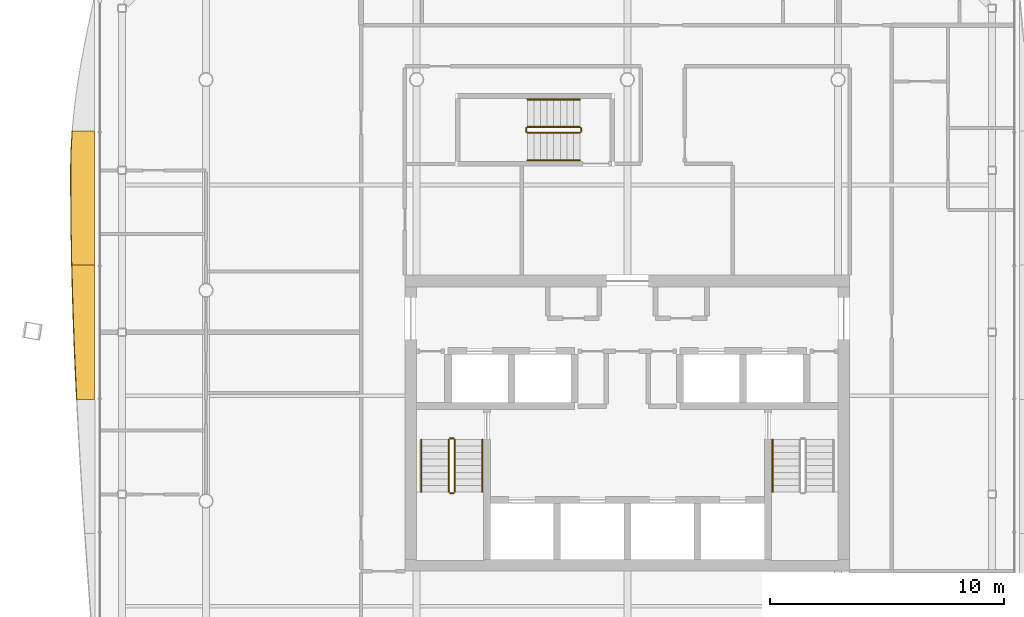
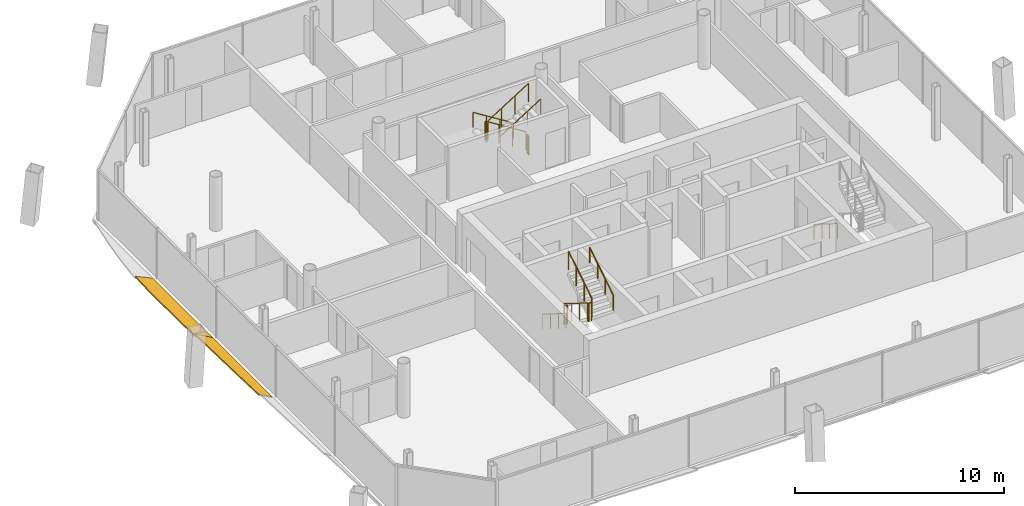
# One storey, part 17 of 19: 13 railings, 2 shading devices.
"""IFC4 building model written with IfcOpenShell, lengths in metres."""

from ifc_helpers import new_model, si_unit, direction, frame, origin, origin_2d, place, context, subcontext, project, spatial, polyline, circle, outline, extrude, material, layer, layer_set, type_object, element, save


model = new_model("IFC4")

# Units and contexts
model_context = context("Model", 3, precision=1e-05, world=origin(), true_north=direction((0.0, 1.0)))
body_context = subcontext(model_context, "Body", "Model", "MODEL_VIEW")
ifc_project = project(units=[si_unit("LENGTHUNIT", "METRE"), si_unit("AREAUNIT", "SQUARE_METRE"), si_unit("VOLUMEUNIT", "CUBIC_METRE"), si_unit("PLANEANGLEUNIT", "RADIAN"), si_unit("MASSUNIT", "GRAM", prefix="KILO")], contexts=[model_context])

# Site, building, storey
site_placement = place(None, origin())
site = spatial("IfcSite", under=ifc_project, at=site_placement, CompositionType="ELEMENT")
building_placement = place(site_placement, origin())
building = spatial("IfcBuilding", under=site, at=building_placement, Name="Tskaro Facet Tower", CompositionType="ELEMENT")
storey_placement = place(building_placement, frame((0.0, 0.0, 203.699951171875)))
storey = spatial("IfcBuildingStorey", under=building, at=storey_placement, Name="L52", CompositionType="ELEMENT", Elevation=203.699951171875)

# Shading devices
ifc_material_1 = material(Name="Bronze anodised aluminium 6063-T6", Category="aluminium")
ifc_layer = layer(ifc_material_1, 0.06005859375, Name="Bronze anodised aluminium 6063-T6")
ifc_layer_set = layer_set([ifc_layer], Name="Bronze anodised aluminium 6063-T6")
shading_device_type = type_object("IfcShadingDeviceType", Name="Bronze sun blade (FN1)", PredefinedType="USERDEFINED", material=ifc_layer_set)
shading_device_1_placement = place(storey_placement, frame((-22.757568359375, 6.808349609375, 0.054443359375), z_axis=(0.422593148816, -4.56974e-07, 0.906319496962), x_axis=(-1.93114e-07, -1.0, -4.14164e-07)))
element("IfcShadingDevice", 1, at=shading_device_1_placement, inside=storey, type_object=shading_device_type, Name="Fin blade west 2", ObjectType="FIN", PredefinedType="USERDEFINED", context=body_context, shape_type="SweptSolid", body=[
    extrude(outline(polyline([(0.0, 0.0), (5.734619140624401, 1.5179410475201615e-22), (5.734619140634673, -1.0734524574937532), (5.0178222655852185, -1.0893961729448316), (4.300781249998834, -1.1022868919702558), (3.5839843749772555, -1.11200651731706), (2.8671875000437472, -1.11867314623821), (2.1503906250029, -1.1219474120723023), (1.7202148437932712, -1.1227143924530891), (1.4335937499694682, -1.120634720719167), (0.7167968750066233, -1.0976999347830279), (7.025858656031981e-12, -1.0497506911768275), (0.0, 0.0)])), origin(), (0.0, 0.0, -1.0), 0.06005859375),
])
shading_device_2_placement = place(storey_placement, frame((-22.7529296875, 1.07373046875, 0.052001953125), z_axis=(0.499965579178, -1.5604992e-05, 0.866045275603), x_axis=(-7.801959e-06, -0.999999999878, -1.351463e-05)))
element("IfcShadingDevice", 2, at=shading_device_2_placement, inside=storey, type_object=shading_device_type, Name="Fin blade west 3", ObjectType="FIN", PredefinedType="USERDEFINED", context=body_context, shape_type="SweptSolid", body=[
    extrude(outline(polyline([(0.0, 0.0), (5.734619139926766, -4.857411352064517e-21), (5.734619141125064, -0.882029664012716), (5.01782226422908, -0.9218513342696572), (4.300781251266747, -0.9592491383935178), (3.5839843744742086, -0.9937108277886226), (2.8671875003355143, -1.0255372142157573), (2.150390623646419, -1.0546389227490258), (1.4335937491010895, -1.0805603927355507), (0.7167968753048287, -1.1036351229192158), (-1.551912400592544e-09, -1.1234402396302416), (0.0, 0.0)])), origin(), (0.0, 0.0, -1.0), 0.06005859375),
])

# Railings
ifc_material_2 = material(Name="Stainless steel", Category="steel")
railing_type_1 = type_object("IfcRailingType", Name="RL-GUARD-1100", PredefinedType="GUARDRAIL", material=ifc_material_2)
railing_1_placement = place(storey_placement, frame((-7.625, -6.375, 0.175048828125)))
element("IfcRailing", 3, at=railing_1_placement, inside=storey, type_object=railing_type_1, Name="L52 ST-1 stair guard 1", PredefinedType="GUARDRAIL", context=body_context, shape_type="SweptSolid", body=[
    extrude(circle(Radius=0.02392578125, at=origin_2d()), frame((0.0, 0.0, 1.076171875), z_axis=(0.0, -0.848013881152, 0.529974015752), x_axis=(1.0, 0.0, 0.0)), (0.0, 0.0, 1.0), 2.641357421875),
    extrude(circle(Radius=0.02099609375, at=origin_2d()), origin(), (0.0, 0.0, 1.0), 1.052001953125),
    extrude(circle(Radius=0.02099609375, at=origin_2d()), frame((0.0, -0.74658203125, 0.466552734375)), (0.0, 0.0, 1.0), 1.052001953125),
    extrude(circle(Radius=0.02099609375, at=origin_2d()), frame((0.0, -1.493408203125, 0.933349609375)), (0.0, 0.0, 1.0), 1.052001953125),
    extrude(circle(Radius=0.02099609375, at=origin_2d()), frame((0.0, -2.239990234375, 1.39990234375)), (0.0, 0.0, 1.0), 1.052001953125),
])
railing_2_placement = place(storey_placement, frame((-7.574951171875, -8.6650390625, 1.574951171875)))
element("IfcRailing", 4, at=railing_2_placement, inside=storey, type_object=railing_type_1, Name="L52 ST-1 stair guard 2", PredefinedType="GUARDRAIL", context=body_context, shape_type="SweptSolid", body=[
    extrude(circle(Radius=0.02392578125, at=origin_2d()), frame((0.0, 0.0, 1.076171875), z_axis=(1.0, 0.0, 0.0), x_axis=(0.0, 1.0, 0.0)), (0.0, 0.0, 1.0), 0.14990234375),
    extrude(circle(Radius=0.02099609375, at=origin_2d()), origin(), (0.0, 0.0, 1.0), 1.052001953125),
    extrude(circle(Radius=0.02099609375, at=origin_2d()), frame((0.14990234375, 0.0, 0.0)), (0.0, 0.0, 1.0), 1.052001953125),
])
railing_3_placement = place(storey_placement, frame((-7.375, -8.614990234375, 1.75)))
element("IfcRailing", 5, at=railing_3_placement, inside=storey, type_object=railing_type_1, Name="L52 ST-1 stair guard 3", PredefinedType="GUARDRAIL", context=body_context, shape_type="SweptSolid", body=[
    extrude(circle(Radius=0.02392578125, at=origin_2d()), frame((0.0, 0.0, 1.076171875), z_axis=(0.0, 0.847972341737, 0.530040477369), x_axis=(-1.0, 0.0, 0.0)), (0.0, 0.0, 1.0), 2.6416015625),
    extrude(circle(Radius=0.02099609375, at=origin_2d()), origin(), (0.0, 0.0, 1.0), 1.052001953125),
    extrude(circle(Radius=0.02099609375, at=origin_2d()), frame((0.0, 0.74658203125, 0.466796875)), (0.0, 0.0, 1.0), 1.052001953125),
    extrude(circle(Radius=0.02099609375, at=origin_2d()), frame((0.0, 1.493408203125, 0.933349609375)), (0.0, 0.0, 1.0), 1.052001953125),
    extrude(circle(Radius=0.02099609375, at=origin_2d()), frame((0.0, 2.239990234375, 1.400146484375)), (0.0, 0.0, 1.0), 1.052001953125),
])
railing_4_placement = place(storey_placement, frame((-7.574951171875, -6.324951171875, 0.0)))
element("IfcRailing", 6, at=railing_4_placement, inside=storey, type_object=railing_type_1, Name="L52 ST-1 stair guard 4", PredefinedType="GUARDRAIL", context=body_context, shape_type="SweptSolid", body=[
    extrude(circle(Radius=0.02392578125, at=origin_2d()), frame((0.0, 0.0, 1.076171875), z_axis=(1.0, 0.0, 0.0), x_axis=(0.0, 1.0, 0.0)), (0.0, 0.0, 1.0), 0.14990234375),
    extrude(circle(Radius=0.02099609375, at=origin_2d()), origin(), (0.0, 0.0, 1.0), 1.052001953125),
    extrude(circle(Radius=0.02099609375, at=origin_2d()), frame((0.14990234375, 0.0, 0.0)), (0.0, 0.0, 1.0), 1.052001953125),
])
railing_5_placement = place(storey_placement, frame((-2.02490234375, 6.97509765625, 0.175048828125)))
element("IfcRailing", 7, at=railing_5_placement, inside=storey, type_object=railing_type_1, Name="L52 ST-3 stair guard 1", PredefinedType="GUARDRAIL", context=body_context, shape_type="SweptSolid", body=[
    extrude(circle(Radius=0.02392578125, at=origin_2d()), frame((0.0, 0.0, 1.076171875), z_axis=(-0.848013881152, 0.0, 0.529974015752), x_axis=(0.0, -1.0, 0.0)), (0.0, 0.0, 1.0), 2.641357421875),
    extrude(circle(Radius=0.02099609375, at=origin_2d()), origin(), (0.0, 0.0, 1.0), 1.052001953125),
    extrude(circle(Radius=0.02099609375, at=origin_2d()), frame((-0.74658203125, 0.0, 0.466552734375)), (0.0, 0.0, 1.0), 1.052001953125),
    extrude(circle(Radius=0.02099609375, at=origin_2d()), frame((-1.493408203125, 0.0, 0.933349609375)), (0.0, 0.0, 1.0), 1.052001953125),
    extrude(circle(Radius=0.02099609375, at=origin_2d()), frame((-2.239990234375, 0.0, 1.39990234375)), (0.0, 0.0, 1.0), 1.052001953125),
])
railing_6_placement = place(storey_placement, frame((-4.31494140625, 6.925048828125, 1.574951171875)))
element("IfcRailing", 8, at=railing_6_placement, inside=storey, type_object=railing_type_1, Name="L52 ST-3 stair guard 2", PredefinedType="GUARDRAIL", context=body_context, shape_type="SweptSolid", body=[
    extrude(circle(Radius=0.02392578125, at=origin_2d()), frame((0.0, 0.0, 1.076171875), z_axis=(0.0, -1.0, 0.0), x_axis=(1.0, 0.0, 0.0)), (0.0, 0.0, 1.0), 0.150146484375),
    extrude(circle(Radius=0.02099609375, at=origin_2d()), origin(), (0.0, 0.0, 1.0), 1.052001953125),
    extrude(circle(Radius=0.02099609375, at=origin_2d()), frame((0.0, -0.150146484375, 0.0)), (0.0, 0.0, 1.0), 1.052001953125),
])
railing_7_placement = place(storey_placement, frame((-4.264892578125, 6.72509765625, 1.75)))
element("IfcRailing", 9, at=railing_7_placement, inside=storey, type_object=railing_type_1, Name="L52 ST-3 stair guard 3", PredefinedType="GUARDRAIL", context=body_context, shape_type="SweptSolid", body=[
    extrude(circle(Radius=0.02392578125, at=origin_2d()), frame((0.0, 0.0, 1.076171875), z_axis=(0.847972341737, 0.0, 0.530040477369), x_axis=(0.0, 1.0, 0.0)), (0.0, 0.0, 1.0), 2.6416015625),
    extrude(circle(Radius=0.02099609375, at=origin_2d()), origin(), (0.0, 0.0, 1.0), 1.052001953125),
    extrude(circle(Radius=0.02099609375, at=origin_2d()), frame((0.74658203125, 0.0, 0.466796875)), (0.0, 0.0, 1.0), 1.052001953125),
    extrude(circle(Radius=0.02099609375, at=origin_2d()), frame((1.493408203125, 0.0, 0.933349609375)), (0.0, 0.0, 1.0), 1.052001953125),
    extrude(circle(Radius=0.02099609375, at=origin_2d()), frame((2.239990234375, 0.0, 1.400146484375)), (0.0, 0.0, 1.0), 1.052001953125),
])
railing_8_placement = place(storey_placement, frame((-1.97509765625, 6.925048828125, 0.0)))
element("IfcRailing", 10, at=railing_8_placement, inside=storey, type_object=railing_type_1, Name="L52 ST-3 stair guard 4", PredefinedType="GUARDRAIL", context=body_context, shape_type="SweptSolid", body=[
    extrude(circle(Radius=0.02392578125, at=origin_2d()), frame((0.0, 0.0, 1.076171875), z_axis=(0.0, -1.0, 0.0), x_axis=(1.0, 0.0, 0.0)), (0.0, 0.0, 1.0), 0.150146484375),
    extrude(circle(Radius=0.02099609375, at=origin_2d()), origin(), (0.0, 0.0, 1.0), 1.052001953125),
    extrude(circle(Radius=0.02099609375, at=origin_2d()), frame((0.0, -0.150146484375, 0.0)), (0.0, 0.0, 1.0), 1.052001953125),
])
railing_type_2 = type_object("IfcRailingType", Name="RL-HANDRAIL-900", PredefinedType="HANDRAIL", material=ifc_material_2)
railing_9_placement = place(storey_placement, frame((-8.800048828125, -6.375, 0.175048828125)))
element("IfcRailing", 11, at=railing_9_placement, inside=storey, type_object=railing_type_2, Name="L52 ST-1 stair handrail 1", PredefinedType="HANDRAIL", context=body_context, shape_type="SweptSolid", body=[
    extrude(circle(Radius=0.02392578125, at=origin_2d()), frame((0.0, 0.0, 0.8759765625), z_axis=(0.0, -0.848013881152, 0.529974015752), x_axis=(1.0, 0.0, 0.0)), (0.0, 0.0, 1.0), 2.641357421875),
    extrude(circle(Radius=0.02099609375, at=origin_2d()), origin(), (0.0, 0.0, 1.0), 0.851806640625),
    extrude(circle(Radius=0.02099609375, at=origin_2d()), frame((0.0, -0.74658203125, 0.466552734375)), (0.0, 0.0, 1.0), 0.851806640625),
    extrude(circle(Radius=0.02099609375, at=origin_2d()), frame((0.0, -1.493408203125, 0.933349609375)), (0.0, 0.0, 1.0), 0.851806640625),
    extrude(circle(Radius=0.02099609375, at=origin_2d()), frame((0.0, -2.239990234375, 1.39990234375)), (0.0, 0.0, 1.0), 0.851806640625),
])
railing_10_placement = place(storey_placement, frame((-6.199951171875, -8.614990234375, 1.75)))
element("IfcRailing", 12, at=railing_10_placement, inside=storey, type_object=railing_type_2, Name="L52 ST-1 stair handrail 2", PredefinedType="HANDRAIL", context=body_context, shape_type="SweptSolid", body=[
    extrude(circle(Radius=0.02392578125, at=origin_2d()), frame((0.0, 0.0, 0.8759765625), z_axis=(0.0, 0.847972341737, 0.530040477369), x_axis=(-1.0, 0.0, 0.0)), (0.0, 0.0, 1.0), 2.6416015625),
    extrude(circle(Radius=0.02099609375, at=origin_2d()), origin(), (0.0, 0.0, 1.0), 0.851806640625),
    extrude(circle(Radius=0.02099609375, at=origin_2d()), frame((0.0, 0.74658203125, 0.466796875)), (0.0, 0.0, 1.0), 0.851806640625),
    extrude(circle(Radius=0.02099609375, at=origin_2d()), frame((0.0, 1.493408203125, 0.933349609375)), (0.0, 0.0, 1.0), 0.851806640625),
    extrude(circle(Radius=0.02099609375, at=origin_2d()), frame((0.0, 2.239990234375, 1.400146484375)), (0.0, 0.0, 1.0), 0.851806640625),
])
railing_11_placement = place(storey_placement, frame((6.199951171875, -6.375, 0.175048828125)))
element("IfcRailing", 13, at=railing_11_placement, inside=storey, type_object=railing_type_2, Name="L52 ST-2 stair handrail 1", PredefinedType="HANDRAIL", context=body_context, shape_type="SweptSolid", body=[
    extrude(circle(Radius=0.02392578125, at=origin_2d()), frame((0.0, 0.0, 0.8759765625), z_axis=(0.0, -0.848013881152, 0.529974015752), x_axis=(1.0, 0.0, 0.0)), (0.0, 0.0, 1.0), 2.641357421875),
    extrude(circle(Radius=0.02099609375, at=origin_2d()), origin(), (0.0, 0.0, 1.0), 0.851806640625),
    extrude(circle(Radius=0.02099609375, at=origin_2d()), frame((0.0, -0.74658203125, 0.466552734375)), (0.0, 0.0, 1.0), 0.851806640625),
    extrude(circle(Radius=0.02099609375, at=origin_2d()), frame((0.0, -1.493408203125, 0.933349609375)), (0.0, 0.0, 1.0), 0.851806640625),
    extrude(circle(Radius=0.02099609375, at=origin_2d()), frame((0.0, -2.239990234375, 1.39990234375)), (0.0, 0.0, 1.0), 0.851806640625),
])
railing_12_placement = place(storey_placement, frame((-2.02490234375, 8.14990234375, 0.175048828125)))
element("IfcRailing", 14, at=railing_12_placement, inside=storey, type_object=railing_type_2, Name="L52 ST-3 stair handrail 1", PredefinedType="HANDRAIL", context=body_context, shape_type="SweptSolid", body=[
    extrude(circle(Radius=0.02392578125, at=origin_2d()), frame((0.0, 0.0, 0.8759765625), z_axis=(-0.848013881152, 0.0, 0.529974015752), x_axis=(0.0, -1.0, 0.0)), (0.0, 0.0, 1.0), 2.641357421875),
    extrude(circle(Radius=0.02099609375, at=origin_2d()), origin(), (0.0, 0.0, 1.0), 0.851806640625),
    extrude(circle(Radius=0.02099609375, at=origin_2d()), frame((-0.74658203125, 0.0, 0.466552734375)), (0.0, 0.0, 1.0), 0.851806640625),
    extrude(circle(Radius=0.02099609375, at=origin_2d()), frame((-1.493408203125, 0.0, 0.933349609375)), (0.0, 0.0, 1.0), 0.851806640625),
    extrude(circle(Radius=0.02099609375, at=origin_2d()), frame((-2.239990234375, 0.0, 1.39990234375)), (0.0, 0.0, 1.0), 0.851806640625),
])
railing_13_placement = place(storey_placement, frame((-4.264892578125, 5.550048828125, 1.75)))
element("IfcRailing", 15, at=railing_13_placement, inside=storey, type_object=railing_type_2, Name="L52 ST-3 stair handrail 2", PredefinedType="HANDRAIL", context=body_context, shape_type="SweptSolid", body=[
    extrude(circle(Radius=0.02392578125, at=origin_2d()), frame((0.0, 0.0, 0.8759765625), z_axis=(0.847972341737, 0.0, 0.530040477369), x_axis=(0.0, 1.0, 0.0)), (0.0, 0.0, 1.0), 2.6416015625),
    extrude(circle(Radius=0.02099609375, at=origin_2d()), origin(), (0.0, 0.0, 1.0), 0.851806640625),
    extrude(circle(Radius=0.02099609375, at=origin_2d()), frame((0.74658203125, 0.0, 0.466796875)), (0.0, 0.0, 1.0), 0.851806640625),
    extrude(circle(Radius=0.02099609375, at=origin_2d()), frame((1.493408203125, 0.0, 0.933349609375)), (0.0, 0.0, 1.0), 0.851806640625),
    extrude(circle(Radius=0.02099609375, at=origin_2d()), frame((2.239990234375, 0.0, 1.400146484375)), (0.0, 0.0, 1.0), 0.851806640625),
])

save(model, "model.ifc")
